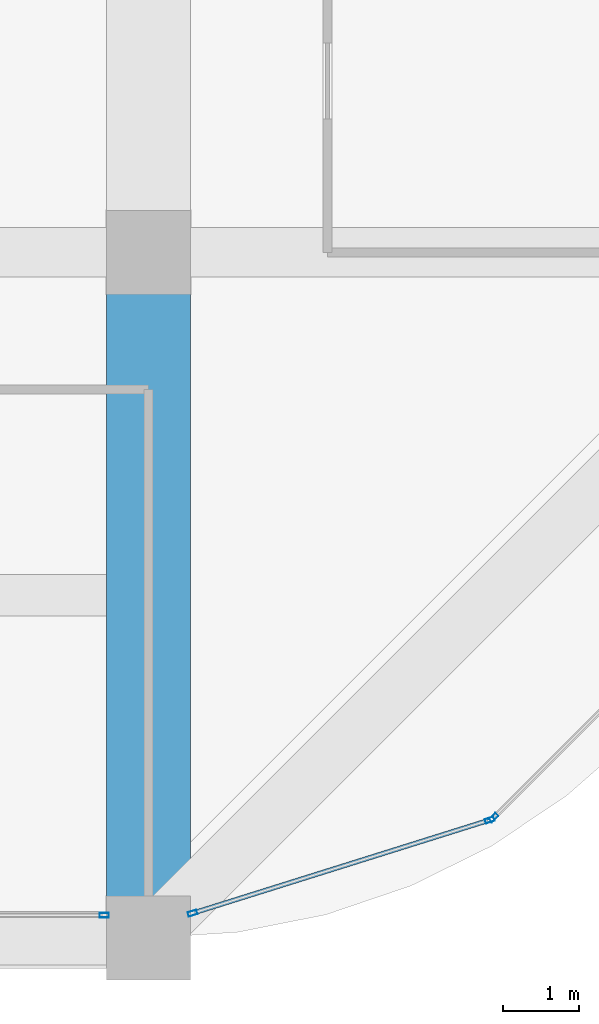
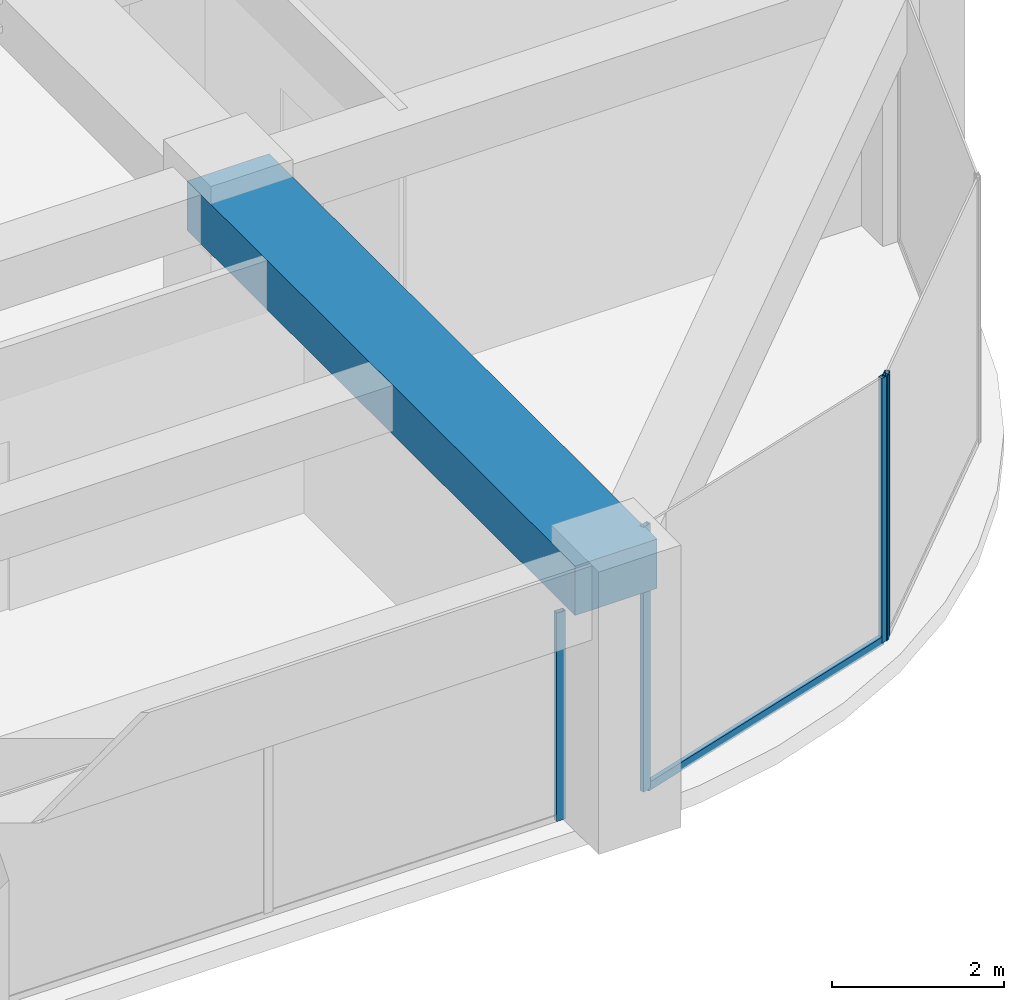
# One storey, part 18 of 44: 5 members, 1 beam, 3 elements without a shape of their own.
"""IFC4 building model written with IfcOpenShell, lengths in metres."""

from ifc_helpers import new_model, si_unit, direction, frame, origin, origin_2d, place, context, subcontext, project, spatial, rectangle, hollow_rectangle, extrude, material, material_profile, profile_set, type_object, element, aggregate, save


model = new_model("IFC4")

# Units and contexts
model_context = context("Model", 3, precision=1e-05, world=origin(), true_north=direction((0.0, 1.0)))
body_context = subcontext(model_context, "Body", "Model", "MODEL_VIEW")
ifc_project = project(units=[si_unit("LENGTHUNIT", "METRE"), si_unit("AREAUNIT", "SQUARE_METRE"), si_unit("VOLUMEUNIT", "CUBIC_METRE"), si_unit("PLANEANGLEUNIT", "RADIAN"), si_unit("MASSUNIT", "GRAM", prefix="KILO")], contexts=[model_context])

# Site, building, storey
site_placement = place(None, origin())
site = spatial("IfcSite", under=ifc_project, at=site_placement, CompositionType="ELEMENT")
building_placement = place(site_placement, origin())
building = spatial("IfcBuilding", under=site, at=building_placement, Name="Zorevar Civic Tower", CompositionType="ELEMENT")
storey_placement = place(building_placement, frame((0.0, 0.0, 271.39990234375)))
storey = spatial("IfcBuildingStorey", under=building, at=storey_placement, Name="L66", CompositionType="ELEMENT", Elevation=271.39990234375)

# Beam
ifc_material_1 = material(Name="Concrete C50/60", Category="concrete")
ifc_material_profile_1 = material_profile(ifc_material_1, rectangle(XDim=1.10009765625, YDim=0.699951171875, at=origin_2d()), Name="RC 1100x700")
ifc_profile_set_1 = profile_set([ifc_material_profile_1], Name="Concrete C50/60")
beam_type = type_object("IfcBeamType", Name="Beam RC 1100x700", PredefinedType="BEAM", material=ifc_profile_set_1)
beam_placement = place(storey_placement, frame((45.0, 0.0, 3.400146484375), z_axis=(0.0, 1.0, 0.0), x_axis=(-1.0, 0.0, 0.0)))
element("IfcBeam", 1, at=beam_placement, inside=storey, type_object=beam_type, Name="Girder L67", PredefinedType="BEAM", context=body_context, shape_type="SweptSolid", body=[
    extrude(rectangle(XDim=1.10009765625, YDim=0.699951171875, at=origin_2d()), origin(), (0.0, 0.0, 1.0), 9.0),
])

# Curtain wall, member
ifc_material_2 = material(Name="Dark grey solar-control glass in black aluminium frame", Category="aluminium")
curtain_wall_type = type_object("IfcCurtainWallType", Name="Curtain wall CW5 top zone", PredefinedType="NOTDEFINED", material=ifc_material_2)
curtain_wall_1_placement = place(storey_placement, origin())
curtain_wall_1 = element("IfcCurtainWall", 2, at=curtain_wall_1_placement, inside=storey, type_object=curtain_wall_type, Name="CW5 L66", PredefinedType="NOTDEFINED")
ifc_material_3 = material(Name="Aluminium, black anodised", Category="aluminium")
ifc_material_profile_2 = material_profile(ifc_material_3, hollow_rectangle(XDim=0.06005859375, YDim=0.1201171875, WallThickness=0.0029296875, at=origin_2d()), Name="AL 120x60x3")
ifc_profile_set_2 = profile_set([ifc_material_profile_2], Name="Aluminium, black anodised")
member_type_1 = type_object("IfcMemberType", Name="CW5 mullion AL 120x60x3", PredefinedType="MULLION", material=ifc_profile_set_2)
member_1_placement = place(storey_placement, frame((44.419921875, 0.300048828125, 0.0), z_axis=(0.0, 0.0, 1.0), x_axis=(0.0, 1.0, 0.0)))
member_1 = element("IfcMember", 3, at=member_1_placement, type_object=member_type_1, Name="CW5 mullion 3", PredefinedType="MULLION", context=body_context, shape_type="SweptSolid", body=[
    extrude(hollow_rectangle(XDim=0.06005859375, YDim=0.1201171875, WallThickness=0.0029296875, at=origin_2d()), origin(), (0.0, 0.0, 1.0), 2.9501953125),
])
aggregate(curtain_wall_1, [member_1])

# Curtain wall, members
curtain_wall_2_placement = place(storey_placement, origin())
curtain_wall_2 = element("IfcCurtainWall", 4, at=curtain_wall_2_placement, inside=storey, type_object=curtain_wall_type, Name="CW5 L66", PredefinedType="NOTDEFINED")
member_2_placement = place(storey_placement, frame((45.57861328125, 0.326416015625, 0.0), z_axis=(0.0, 0.0, 1.0), x_axis=(-0.299317920238, 0.954153437674, 0.0)))
member_2 = element("IfcMember", 5, at=member_2_placement, type_object=member_type_1, Name="CW5 mullion 1", PredefinedType="MULLION", context=body_context, shape_type="SweptSolid", body=[
    extrude(hollow_rectangle(XDim=0.06005859375, YDim=0.1201171875, WallThickness=0.0029296875, at=origin_2d()), origin(), (0.0, 0.0, 1.0), 3.75),
])
member_3_placement = place(storey_placement, frame((49.479248046875, 1.550048828125, 0.0), z_axis=(0.0, 0.0, 1.0), x_axis=(-0.299317920238, 0.954153437674, 0.0)))
member_3 = element("IfcMember", 6, at=member_3_placement, type_object=member_type_1, Name="CW5 mullion 2", PredefinedType="MULLION", context=body_context, shape_type="SweptSolid", body=[
    extrude(hollow_rectangle(XDim=0.06005859375, YDim=0.1201171875, WallThickness=0.0029296875, at=origin_2d()), origin(), (0.0, 0.0, 1.0), 3.75),
])

# Curtain wall, member
curtain_wall_3_placement = place(storey_placement, origin())
curtain_wall_3 = element("IfcCurtainWall", 7, at=curtain_wall_3_placement, inside=storey, type_object=curtain_wall_type, Name="CW5 L66", PredefinedType="NOTDEFINED")
member_4_placement = place(storey_placement, frame((49.529052734375, 1.580322265625, 0.0), z_axis=(0.0, 0.0, 1.0), x_axis=(-0.707106781187, 0.707106781187, 0.0)))
member_4 = element("IfcMember", 8, at=member_4_placement, type_object=member_type_1, Name="CW5 mullion 1", PredefinedType="MULLION", context=body_context, shape_type="SweptSolid", body=[
    extrude(hollow_rectangle(XDim=0.06005859375, YDim=0.1201171875, WallThickness=0.0029296875, at=origin_2d()), origin(), (0.0, 0.0, 1.0), 3.75),
])
aggregate(curtain_wall_3, [member_4])

# Member
ifc_material_4 = material(Name="Aluminium, black anodised", Category="aluminium")
ifc_material_profile_3 = material_profile(ifc_material_4, hollow_rectangle(XDim=0.06005859375, YDim=0.1201171875, WallThickness=0.0029296875, at=origin_2d()), Name="AL 120x60x3")
ifc_profile_set_3 = profile_set([ifc_material_profile_3], Name="Aluminium, black anodised")
member_type_2 = type_object("IfcMemberType", Name="CW5 transom AL 120x60x3", PredefinedType="USERDEFINED", material=ifc_profile_set_3)
member_5_placement = place(storey_placement, frame((45.607177734375, 0.33544921875, 0.030029296875), z_axis=(0.954163457351, 0.299285978047, 0.0), x_axis=(-0.299285978047, 0.954163457351, 0.0)))
member_5 = element("IfcMember", 9, at=member_5_placement, type_object=member_type_2, Name="CW5 sill transom", ObjectType="TRANSOM", PredefinedType="USERDEFINED", context=body_context, shape_type="SweptSolid", body=[
    extrude(hollow_rectangle(XDim=0.06005859375, YDim=0.1201171875, WallThickness=0.0029296875, at=origin_2d()), origin(), (0.0, 0.0, 1.0), 4.028076171875),
])

aggregate(curtain_wall_2, [member_2, member_3, member_5])

save(model, "model.ifc")
